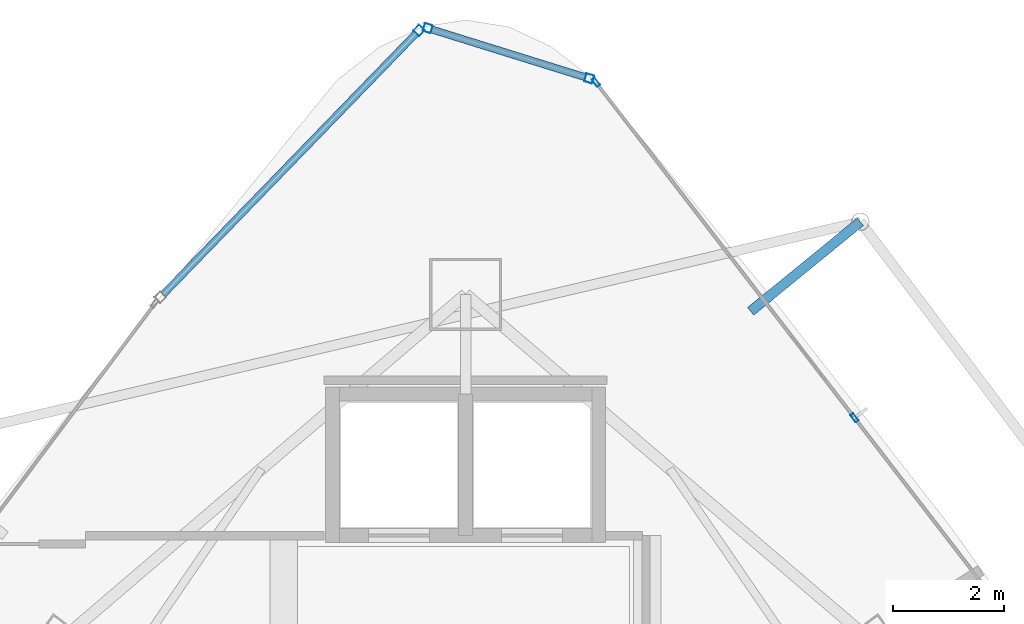
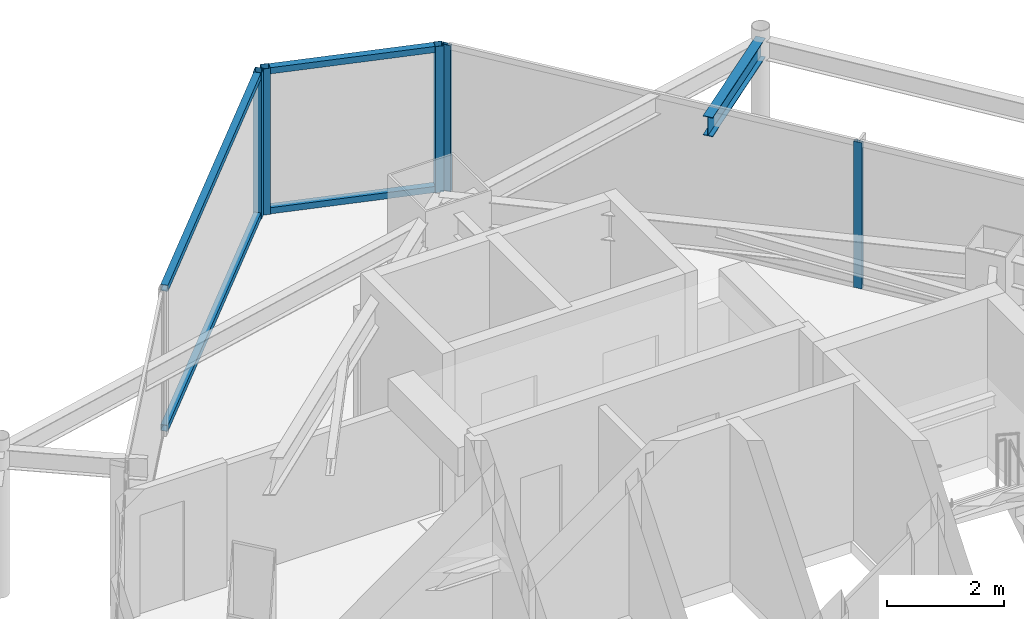
# One storey, part 25 of 33: 9 members, 1 beam, 3 elements without a shape of their own.
"""IFC4 building model written with IfcOpenShell, lengths in metres."""

import ifcopenshell
import ifcopenshell.guid

model = None  # the IFC model being written
_history = None  # IfcOwnerHistory: only IFC2X3 demands one
_inside = {}  # id of a spatial element -> (the spatial element, [elements in it])
_under = {}  # id of a project, library or spatial element -> (it, [spatial elements below it])
_declared = {}  # id of a project -> (the project, [libraries it declares])
_typed = {}  # id of a type object -> (the type object, [elements of that type])
_made_of = {}  # id of a material, layer set ... -> (it, [elements and type objects made of it])


def new_model(schema):
    """Start an empty IFC model of exactly this schema.

    Asked for "IFC4X3", IfcOpenShell would pick the latest addendum, in which some entities
    have other attributes; the version numbers below select the first issue.
    IFC2X3 requires an IfcOwnerHistory on every rooted entity: one is made here for all.
    """
    global model, _history
    if schema == "IFC4X3":
        model = ifcopenshell.file(schema_version=(4, 3, 0, 0))
    else:
        model = ifcopenshell.file(schema=schema)
    _inside.clear()
    _under.clear()
    _declared.clear()
    _typed.clear()
    _made_of.clear()
    _history = None
    if model.schema == "IFC2X3":
        org = make("IfcOrganization", Name="unknown")
        user = make(
            "IfcPersonAndOrganization",
            ThePerson=make("IfcPerson", FamilyName="unknown"),
            TheOrganization=org,
        )
        app = make(
            "IfcApplication",
            ApplicationDeveloper=org,
            Version="unknown",
            ApplicationFullName="unknown",
            ApplicationIdentifier="unknown",
        )
        _history = make(
            "IfcOwnerHistory",
            OwningUser=user,
            OwningApplication=app,
            ChangeAction="ADDED",
            CreationDate=0,
        )
    return model


def make(cls, **values):
    """One entity of the class cls with the attributes given. An attribute that is None is left unset."""
    return model.create_entity(
        cls, **{name: value for name, value in values.items() if value is not None}
    )


def rooted(cls, **values):
    """An entity with a GlobalId (a new one), such as an element, a storey or a relation."""
    return make(cls, GlobalId=ifcopenshell.guid.new(), OwnerHistory=_history, **values)


def si_unit(unit_type, name, prefix=None):
    """IfcSIUnit, for example si_unit("LENGTHUNIT", "METRE", prefix="MILLI")."""
    return make("IfcSIUnit", UnitType=unit_type, Prefix=prefix, Name=name)


def assignment(units):
    """IfcUnitAssignment: the units of a project."""
    return None if units is None else make("IfcUnitAssignment", Units=units)


def point(xyz):
    """IfcCartesianPoint."""
    return None if xyz is None else make("IfcCartesianPoint", Coordinates=xyz)


def direction(xyz):
    """IfcDirection."""
    return None if xyz is None else make("IfcDirection", DirectionRatios=xyz)


def frame(location, z_axis=None, x_axis=None):
    """IfcAxis2Placement3D, a coordinate frame: its origin and axes. An axis left out is left unset."""
    return make(
        "IfcAxis2Placement3D",
        Location=point(location),
        Axis=direction(z_axis),
        RefDirection=direction(x_axis),
    )


def frame_2d(location, x_axis=None):
    """IfcAxis2Placement2D, a coordinate frame in the plane: its origin and x axis."""
    return make(
        "IfcAxis2Placement2D", Location=point(location), RefDirection=direction(x_axis)
    )


def origin():
    """The frame at (0, 0, 0) with its axes left unset."""
    return frame((0.0, 0.0, 0.0))


def origin_2d():
    """The frame at (0, 0) in the plane with its x axis left unset."""
    return frame_2d((0.0, 0.0))


def place(relative_to, where):
    """IfcLocalPlacement: puts the frame where relative to a parent placement (None: the world)."""
    return make(
        "IfcLocalPlacement", PlacementRelTo=relative_to, RelativePlacement=where
    )


def context(
    kind, dimensions, precision=None, world=None, true_north=None, identifier=None
):
    """IfcGeometricRepresentationContext, for example the 3D "Model" context."""
    return make(
        "IfcGeometricRepresentationContext",
        ContextIdentifier=identifier,
        ContextType=kind,
        CoordinateSpaceDimension=dimensions,
        Precision=precision,
        WorldCoordinateSystem=world,
        TrueNorth=true_north,
    )


def subcontext(parent, identifier, kind, view, scale=None):
    """IfcGeometricRepresentationSubContext, for example "Body" below "Model"."""
    return make(
        "IfcGeometricRepresentationSubContext",
        ContextIdentifier=identifier,
        ContextType=kind,
        ParentContext=parent,
        TargetScale=scale,
        TargetView=view,
    )


def project(units=None, contexts=None):
    """IfcProject with its units and contexts."""
    return rooted(
        "IfcProject",
        Name="project",
        RepresentationContexts=contexts,
        UnitsInContext=assignment(units),
    )


def spatial(cls, under=None, at=None, **own):
    """A site, building, storey or space (cls), placed at a placement, below another one or the project."""
    s = rooted(cls, ObjectPlacement=at, **own)
    if under is not None:
        _under.setdefault(under.id(), (under, []))[1].append(s)
    return s


def profile(cls, at=None, kind="AREA", **sizes):
    """A parametric profile (cls). Its sizes go by their IFC names, for example OverallWidth=200.0."""
    return make(cls, ProfileType=kind, Position=at, **sizes)


def hollow_rectangle(**sizes):
    """IfcRectangleHollowProfileDef."""
    return profile("IfcRectangleHollowProfileDef", **sizes)


def i_section(**sizes):
    """IfcIShapeProfileDef."""
    return profile("IfcIShapeProfileDef", **sizes)


def extrude(swept, where, along, depth):
    """IfcExtrudedAreaSolid: the profile swept, set in the frame where, extruded along a direction by depth."""
    return make(
        "IfcExtrudedAreaSolid",
        SweptArea=swept,
        Position=where,
        ExtrudedDirection=direction(along),
        Depth=depth,
    )


def shape(context_of_items, identifier, shape_type, items):
    """IfcShapeRepresentation: the items that make up one representation, for example the "Body"."""
    return make(
        "IfcShapeRepresentation",
        ContextOfItems=context_of_items,
        RepresentationIdentifier=identifier,
        RepresentationType=shape_type,
        Items=items,
    )


def material(Name=None, Category=None):
    """IfcMaterial."""
    return make("IfcMaterial", Name=Name, Category=Category)


def layer(
    of_material, thickness, ventilated=None, Name=None, Category=None, Priority=None
):
    """IfcMaterialLayer: one layer of a wall or slab, of a material (None: an air gap)."""
    return make(
        "IfcMaterialLayer",
        Material=of_material,
        LayerThickness=thickness,
        IsVentilated=ventilated,
        Name=Name,
        Category=Category,
        Priority=Priority,
    )


def layer_set(layers, Name=None):
    """IfcMaterialLayerSet."""
    return make("IfcMaterialLayerSet", MaterialLayers=layers, LayerSetName=Name)


def material_profile(
    of_material, cross_section, Name=None, Category=None, Priority=None
):
    """IfcMaterialProfile: a cross section and its material."""
    return make(
        "IfcMaterialProfile",
        Name=Name,
        Material=of_material,
        Profile=cross_section,
        Priority=Priority,
        Category=Category,
    )


def profile_set(profiles, Name=None, composite=None):
    """IfcMaterialProfileSet."""
    return make(
        "IfcMaterialProfileSet",
        Name=Name,
        MaterialProfiles=profiles,
        CompositeProfile=composite,
    )


def made_of(thing, what):
    """Note that an element or type object is made of a material, layer set ...; save() writes the relation."""
    if what is not None:
        _made_of.setdefault(what.id(), (what, []))[1].append(thing)
    return thing


def type_object(cls, material=None, **own):
    """A type object (cls), such as IfcWallType, which elements share."""
    return made_of(rooted(cls, **own), material)


def element(
    cls,
    number,
    at=None,
    inside=None,
    cuts=None,
    type_object=None,
    material=None,
    context=None,
    identifier="Body",
    shape_type=None,
    held_by="IfcProductDefinitionShape",
    body=None,
    shapes=None,
    **own,
):
    """One element of the class cls, such as IfcWall. Its Tag is "e" and its number.

    at: its placement. inside: the storey or other place that contains it. cuts: it is an
    opening in that element (IfcRelVoidsElement). A single representation is given by context,
    identifier, shape_type and body (its items); several are given by shapes. held_by: the class
    of the entity that holds the representations. save() writes the other relations.
    """
    e = rooted(cls, Tag="e%d" % number, ObjectPlacement=at, **own)
    if body is not None:
        shapes = [shape(context, identifier, shape_type, body)]
    if shapes is not None:
        e.Representation = make(held_by, Representations=shapes)
    if inside is not None:
        _inside.setdefault(inside.id(), (inside, []))[1].append(e)
    if cuts is not None:
        rooted(
            "IfcRelVoidsElement", RelatingBuildingElement=cuts, RelatedOpeningElement=e
        )
    if type_object is not None:
        _typed.setdefault(type_object.id(), (type_object, []))[1].append(e)
    return made_of(e, material)


def aggregate(whole, parts):
    """IfcRelAggregates: a whole, such as a stair, and the parts it consists of."""
    return rooted("IfcRelAggregates", RelatingObject=whole, RelatedObjects=parts)


def save(model, path):
    """Write the relations noted so far, then the file.

    IfcRelAggregates (storeys below a building ...), IfcRelContainedInSpatialStructure (elements
    in a storey), IfcRelDefinesByType, IfcRelAssociatesMaterial and IfcRelDeclares: one each for
    every whole, place, type object, material and project.
    """
    for whole, parts in _under.values():
        aggregate(whole, parts)
    for where, things in _inside.values():
        rooted(
            "IfcRelContainedInSpatialStructure",
            RelatedElements=things,
            RelatingStructure=where,
        )
    for kind, things in _typed.values():
        rooted("IfcRelDefinesByType", RelatedObjects=things, RelatingType=kind)
    for what, things in _made_of.values():
        rooted("IfcRelAssociatesMaterial", RelatedObjects=things, RelatingMaterial=what)
    for by, libraries in _declared.values():
        rooted("IfcRelDeclares", RelatingContext=by, RelatedDefinitions=libraries)
    model.write(path)


model = new_model("IFC4")

# Units and contexts
model_context = context("Model", 3, precision=1e-05, world=origin(), true_north=direction((0.0, 1.0)))
body_context = subcontext(model_context, "Body", "Model", "MODEL_VIEW")
ifc_project = project(units=[si_unit("LENGTHUNIT", "METRE"), si_unit("AREAUNIT", "SQUARE_METRE"), si_unit("VOLUMEUNIT", "CUBIC_METRE"), si_unit("PLANEANGLEUNIT", "RADIAN"), si_unit("MASSUNIT", "GRAM", prefix="KILO")], contexts=[model_context])

# Site, building, storey
site_placement = place(None, origin())
site = spatial("IfcSite", under=ifc_project, at=site_placement, CompositionType="ELEMENT")
building_placement = place(site_placement, origin())
building = spatial("IfcBuilding", under=site, at=building_placement, Name="Orvanel Arch Residences", CompositionType="ELEMENT")
storey_placement = place(building_placement, frame((0.0, 0.0, 206.300048828125)))
storey = spatial("IfcBuildingStorey", under=building, at=storey_placement, Name="L58", CompositionType="ELEMENT", Elevation=206.300048828125)

# Curtain wall, members
ifc_material_1 = material(Name="Bronze-anodised aluminium AA6063-T6", Category="aluminium")
ifc_layer_1 = layer(ifc_material_1, 0.18994140625)
ifc_layer_set_1 = layer_set([ifc_layer_1], Name="Bronze-anodised aluminium AA6063-T6")
curtain_wall_type_1 = type_object("IfcCurtainWallType", Name="CW5-CRN-SYS", PredefinedType="NOTDEFINED", material=ifc_layer_set_1)
curtain_wall_1_placement = place(storey_placement, origin())
curtain_wall_1 = element("IfcCurtainWall", 1, at=curtain_wall_1_placement, inside=storey, type_object=curtain_wall_type_1, Name="L58 CW5-CRN-SYS Unitised Curtain Wall", PredefinedType="NOTDEFINED")
ifc_material_profile_1 = material_profile(ifc_material_1, hollow_rectangle(XDim=0.14990234375, YDim=0.14990234375, WallThickness=0.0048828125, at=origin_2d()), Name="ALU150x150x5")
ifc_profile_set_1 = profile_set([ifc_material_profile_1], Name="Bronze-anodised aluminium AA6063-T6")
member_type_1 = type_object("IfcMemberType", Name="MUL-150x150", PredefinedType="MULLION", material=ifc_profile_set_1)
member_1_placement = place(storey_placement, frame((35.227294921875, 45.287353515625, 0.0), z_axis=(0.0, 0.0, 1.0), x_axis=(-0.297117246401, -0.954841003461, 0.0)))
member_1 = element("IfcMember", 2, at=member_1_placement, type_object=member_type_1, Name="CW-S5 mullion 1", PredefinedType="MULLION", context=body_context, shape_type="SweptSolid", body=[
    extrude(hollow_rectangle(XDim=0.14990234375, YDim=0.14990234375, WallThickness=0.0048828125, at=origin_2d()), origin(), (0.0, 0.0, 1.0), 3.06005859375),
])
member_2_placement = place(storey_placement, frame((32.317626953125, 46.192626953125, 0.0), z_axis=(0.0, 0.0, 1.0), x_axis=(-0.297117246401, -0.954841003461, 0.0)))
member_2 = element("IfcMember", 3, at=member_2_placement, type_object=member_type_1, Name="CW-S5 mullion 2", PredefinedType="MULLION", context=body_context, shape_type="SweptSolid", body=[
    extrude(hollow_rectangle(XDim=0.14990234375, YDim=0.14990234375, WallThickness=0.0048828125, at=origin_2d()), origin(), (0.0, 0.0, 1.0), 3.06005859375),
])

# Curtain wall, member
curtain_wall_2_placement = place(storey_placement, origin())
curtain_wall_2 = element("IfcCurtainWall", 4, at=curtain_wall_2_placement, inside=storey, type_object=curtain_wall_type_1, Name="L58 CW5-CRN-SYS Unitised Curtain Wall", PredefinedType="NOTDEFINED")
member_3_placement = place(storey_placement, frame((32.160888671875, 46.153076171875, 0.0), z_axis=(0.0, 0.0, 1.0), x_axis=(0.718044101209, -0.695997606834, 0.0)))
member_3 = element("IfcMember", 5, at=member_3_placement, type_object=member_type_1, Name="CW-S5 mullion 1", PredefinedType="MULLION", context=body_context, shape_type="SweptSolid", body=[
    extrude(hollow_rectangle(XDim=0.14990234375, YDim=0.14990234375, WallThickness=0.0048828125, at=origin_2d()), origin(), (0.0, 0.0, 1.0), 3.06005859375),
])

# Curtain wall, members
ifc_layer_2 = layer(ifc_material_1, 0.175048828125)
ifc_layer_set_2 = layer_set([ifc_layer_2], Name="Bronze-anodised aluminium AA6063-T6")
curtain_wall_type_2 = type_object("IfcCurtainWallType", Name="CW4-HI-SYS", PredefinedType="NOTDEFINED", material=ifc_layer_set_2)
curtain_wall_3_placement = place(storey_placement, origin())
curtain_wall_3 = element("IfcCurtainWall", 6, at=curtain_wall_3_placement, inside=storey, type_object=curtain_wall_type_2, Name="L58 CW4-HI-SYS Unitised Curtain Wall", PredefinedType="NOTDEFINED")
ifc_material_profile_2 = material_profile(ifc_material_1, hollow_rectangle(XDim=0.06494140625, YDim=0.159912109375, WallThickness=0.00390625, at=origin_2d()), Name="ALU160x65x4")
ifc_profile_set_2 = profile_set([ifc_material_profile_2], Name="Bronze-anodised aluminium AA6063-T6")
member_type_2 = type_object("IfcMemberType", Name="MUL-160x65", PredefinedType="MULLION", material=ifc_profile_set_2)
member_4_placement = place(storey_placement, frame((40.007568359375, 39.172119140625, 0.0), z_axis=(0.0, 0.0, 1.0), x_axis=(-0.792150817266, -0.61032539084, 0.0)))
member_4 = element("IfcMember", 7, at=member_4_placement, type_object=member_type_2, Name="CW-S4 mullion 2", PredefinedType="MULLION", context=body_context, shape_type="SweptSolid", body=[
    extrude(hollow_rectangle(XDim=0.06494140625, YDim=0.159912109375, WallThickness=0.00390625, at=origin_2d()), origin(), (0.0, 0.0, 1.0), 3.06005859375),
])
member_5_placement = place(storey_placement, frame((35.349853515625, 45.21728515625, 0.0), z_axis=(0.0, 0.0, 1.0), x_axis=(-0.792150817266, -0.61032539084, 0.0)))
member_5 = element("IfcMember", 8, at=member_5_placement, type_object=member_type_2, Name="CW-S4 mullion 3", PredefinedType="MULLION", context=body_context, shape_type="SweptSolid", body=[
    extrude(hollow_rectangle(XDim=0.06494140625, YDim=0.159912109375, WallThickness=0.00390625, at=origin_2d()), origin(), (0.0, 0.0, 1.0), 3.06005859375),
])
aggregate(curtain_wall_3, [member_4, member_5])

# Beam
ifc_material_2 = material(Name="Structural steel AS/NZS 3679.1 Grade 300 (300 MPa)", Category="steel")
ifc_material_profile_3 = material_profile(ifc_material_2, i_section(OverallWidth=0.177978515625, OverallDepth=0.406005859375, WebThickness=0.0078125, FlangeThickness=0.0126953125, at=origin_2d()), Name="410UB59.7")
ifc_profile_set_3 = profile_set([ifc_material_profile_3], Name="Structural steel AS/NZS 3679.1 Grade 300 (300 MPa)")
beam_type = type_object("IfcBeamType", Name="OB-410UB-EXT", PredefinedType="SPANDREL", material=ifc_profile_set_3)
beam_placement = place(storey_placement, frame((38.135986328125, 41.092041015625, 2.85693359375), z_axis=(0.774865020772, 0.632126727472, 0.0), x_axis=(-0.632126727472, 0.774865020772, 0.0)))
element("IfcBeam", 9, at=beam_placement, inside=storey, type_object=beam_type, Name="L58 Outer Frame Radial Tie Beam 12", PredefinedType="SPANDREL", context=body_context, shape_type="SweptSolid", body=[
    extrude(i_section(OverallWidth=0.177978515625, OverallDepth=0.406005859375, WebThickness=0.0078125, FlangeThickness=0.0126953125, at=origin_2d()), origin(), (0.0, 0.0, 1.0), 2.55029296875),
])

# Member
ifc_material_profile_4 = material_profile(ifc_material_1, hollow_rectangle(XDim=0.1298828125, YDim=0.1298828125, WallThickness=0.00439453125, at=origin_2d()), Name="ALU130x130x4.5")
ifc_profile_set_4 = profile_set([ifc_material_profile_4], Name="Bronze-anodised aluminium AA6063-T6")
member_type_3 = type_object("IfcMemberType", Name="TRN-130x130", PredefinedType="USERDEFINED", material=ifc_profile_set_4)
member_6_placement = place(storey_placement, frame((35.15576171875, 45.3095703125, 0.06494140625), z_axis=(-0.954845090598, 0.297104111317, 0.0), x_axis=(-0.297104111317, -0.954845090598, 0.0)))
member_6 = element("IfcMember", 10, at=member_6_placement, type_object=member_type_3, Name="CW-S5 transom 1.1", ObjectType="TRANSOM", PredefinedType="USERDEFINED", context=body_context, shape_type="SweptSolid", body=[
    extrude(hollow_rectangle(XDim=0.1298828125, YDim=0.1298828125, WallThickness=0.00439453125, at=origin_2d()), origin(), (0.0, 0.0, 1.0), 2.8974609375),
])

member_7_placement = place(storey_placement, frame((35.15576171875, 45.3095703125, 2.994873046875), z_axis=(-0.954845090598, 0.297104111317, 0.0), x_axis=(-0.297104111317, -0.954845090598, 0.0)))
member_7 = element("IfcMember", 11, at=member_7_placement, type_object=member_type_3, Name="CW-S5 transom 1.2", ObjectType="TRANSOM", PredefinedType="USERDEFINED", context=body_context, shape_type="SweptSolid", body=[
    extrude(hollow_rectangle(XDim=0.1298828125, YDim=0.1298828125, WallThickness=0.00439453125, at=origin_2d()), origin(), (0.0, 0.0, 1.0), 2.8974609375),
])

aggregate(curtain_wall_1, [member_1, member_2, member_6, member_7])

member_8_placement = place(storey_placement, frame((32.108642578125, 46.099365234375, 0.06494140625), z_axis=(-0.696005516667, -0.718036434151, 0.0), x_axis=(0.718036434151, -0.696005516667, 0.0)))
member_8 = element("IfcMember", 12, at=member_8_placement, type_object=member_type_3, Name="CW-S5 transom 1.1", ObjectType="TRANSOM", PredefinedType="USERDEFINED", context=body_context, shape_type="SweptSolid", body=[
    extrude(hollow_rectangle(XDim=0.1298828125, YDim=0.1298828125, WallThickness=0.00439453125, at=origin_2d()), origin(), (0.0, 0.0, 1.0), 6.54931640625),
])

member_9_placement = place(storey_placement, frame((32.108642578125, 46.099365234375, 2.994873046875), z_axis=(-0.696005516667, -0.718036434151, 0.0), x_axis=(0.718036434151, -0.696005516667, 0.0)))
member_9 = element("IfcMember", 13, at=member_9_placement, type_object=member_type_3, Name="CW-S5 transom 1.2", ObjectType="TRANSOM", PredefinedType="USERDEFINED", context=body_context, shape_type="SweptSolid", body=[
    extrude(hollow_rectangle(XDim=0.1298828125, YDim=0.1298828125, WallThickness=0.00439453125, at=origin_2d()), origin(), (0.0, 0.0, 1.0), 6.54931640625),
])

aggregate(curtain_wall_2, [member_3, member_8, member_9])

save(model, "model.ifc")
